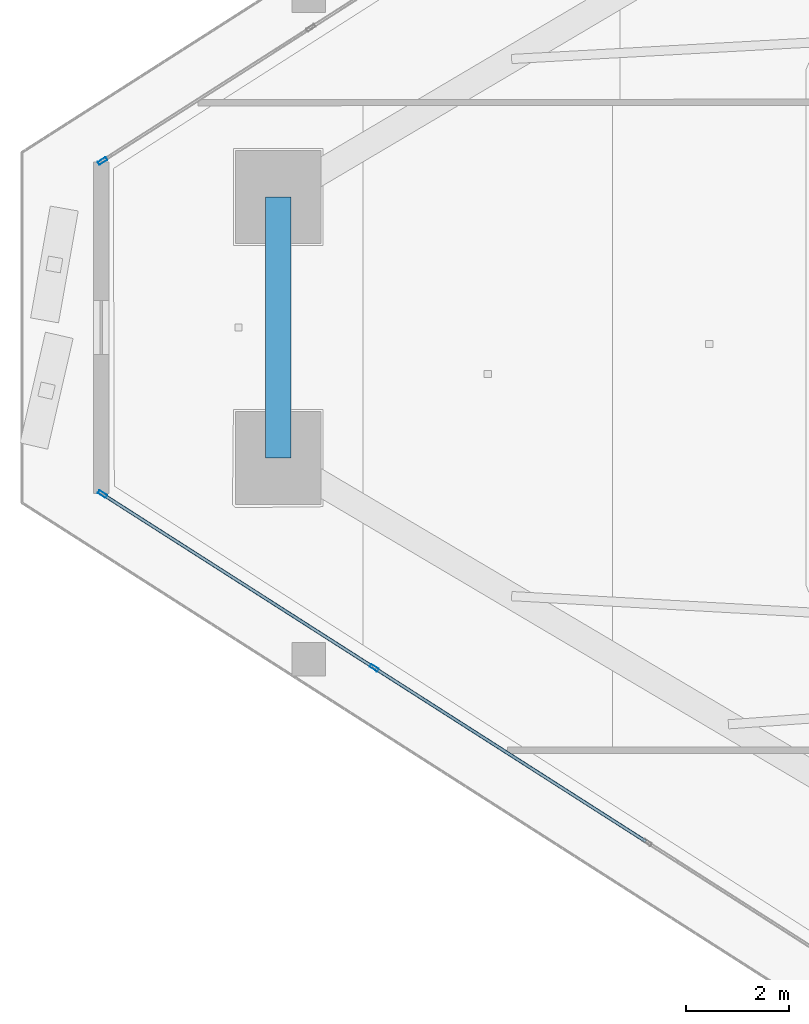
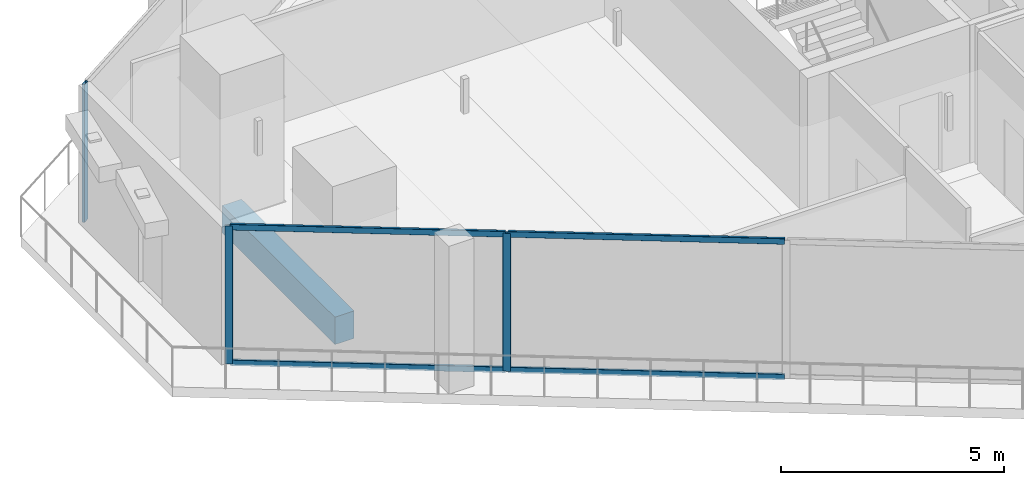
# One storey, part 6 of 36: 7 members, 1 beam, 2 elements without a shape of their own.
"""IFC4 building model written with IfcOpenShell, lengths in metres."""

from ifc_helpers import new_model, si_unit, direction, frame, origin, origin_2d, place, context, subcontext, project, spatial, rectangle, hollow_rectangle, extrude, material, layer, layer_set, material_profile, profile_set, type_object, element, aggregate, save


model = new_model("IFC4")

# Units and contexts
model_context = context("Model", 3, precision=1e-05, world=origin(), true_north=direction((0.0, 1.0)))
body_context = subcontext(model_context, "Body", "Model", "MODEL_VIEW")
ifc_project = project(units=[si_unit("LENGTHUNIT", "METRE"), si_unit("AREAUNIT", "SQUARE_METRE"), si_unit("VOLUMEUNIT", "CUBIC_METRE"), si_unit("PLANEANGLEUNIT", "RADIAN"), si_unit("MASSUNIT", "GRAM", prefix="KILO")], contexts=[model_context])

# Site, building, storey
site_placement = place(None, origin())
site = spatial("IfcSite", under=ifc_project, at=site_placement, CompositionType="ELEMENT")
building_placement = place(site_placement, origin())
building = spatial("IfcBuilding", under=site, at=building_placement, Name="Qorvath Tower", CompositionType="ELEMENT")
storey_placement = place(building_placement, frame((0.0, 0.0, 241.5)))
storey = spatial("IfcBuildingStorey", under=building, at=storey_placement, Name="L56", CompositionType="ELEMENT", Elevation=241.5)

# Beam
ifc_material_1 = material(Name="Concrete C45/55", Category="concrete")
ifc_material_profile_1 = material_profile(ifc_material_1, rectangle(XDim=0.5, YDim=0.75, at=origin_2d()), Name="RCB 750x500")
ifc_profile_set_1 = profile_set([ifc_material_profile_1], Name="Concrete C45/55")
beam_type = type_object("IfcBeamType", Name="BM-RCB3", PredefinedType="SPANDREL", material=ifc_profile_set_1)
beam_placement = place(storey_placement, frame((-49.171875, 2.52783203125, -0.64501953125), z_axis=(0.0, -1.0, 0.0), x_axis=(1.0, 0.0, 0.0)))
element("IfcBeam", 1, at=beam_placement, inside=storey, type_object=beam_type, Name="Perimeter Loggia Frame Beam MC1-MC2 L56", PredefinedType="SPANDREL", context=body_context, shape_type="SweptSolid", body=[
    extrude(rectangle(XDim=0.5, YDim=0.75, at=origin_2d()), origin(), (0.0, 0.0, 1.0), 5.0556640625),
])

# Curtain wall, members
ifc_material_2 = material(Name="Anodised aluminium and triple low-E glass", Category="aluminium")
ifc_layer = layer(ifc_material_2, 0.179931640625)
ifc_layer_set = layer_set([ifc_layer], Name="CW-SYS-3")
curtain_wall_type = type_object("IfcCurtainWallType", Name="CW-SYS-3", PredefinedType="NOTDEFINED", material=ifc_layer_set)
curtain_wall_1_placement = place(storey_placement, origin())
curtain_wall_1 = element("IfcCurtainWall", 2, at=curtain_wall_1_placement, inside=storey, type_object=curtain_wall_type, Name="Curtain Wall CW-3 CW-T-L56-2.1", PredefinedType="NOTDEFINED")
ifc_material_3 = material(Name="Anodised aluminium 6063-T6", Category="aluminium")
ifc_material_profile_2 = material_profile(ifc_material_3, hollow_rectangle(XDim=0.06494140625, YDim=0.179931640625, WallThickness=0.00341796875, InnerFilletRadius=0.00341796875, OuterFilletRadius=0.007080078125, at=origin_2d()), Name="CWM 180x65")
ifc_profile_set_2 = profile_set([ifc_material_profile_2], Name="Anodised aluminium 6063-T6")
member_type_1 = type_object("IfcMemberType", Name="CWM-180", PredefinedType="MULLION", material=ifc_profile_set_2)
member_1_placement = place(storey_placement, frame((-52.57373046875, -3.227783203125, 0.0), z_axis=(0.0, 0.0, 1.0), x_axis=(0.538531424585, 0.842605426481, 0.0)))
member_1 = element("IfcMember", 3, at=member_1_placement, type_object=member_type_1, Name="CW-3 mullion 1", PredefinedType="MULLION", context=body_context, shape_type="SweptSolid", body=[
    extrude(hollow_rectangle(XDim=0.06494140625, YDim=0.179931640625, WallThickness=0.00341796875, InnerFilletRadius=0.00341796875, OuterFilletRadius=0.007080078125, at=origin_2d()), origin(), (0.0, 0.0, 1.0), 3.780029296875),
])
member_2_placement = place(storey_placement, frame((-47.312255859375, -6.590576171875, 0.0), z_axis=(0.0, 0.0, 1.0), x_axis=(0.538531424585, 0.842605426481, 0.0)))
member_2 = element("IfcMember", 4, at=member_2_placement, type_object=member_type_1, Name="CW-3 mullion 2", PredefinedType="MULLION", context=body_context, shape_type="SweptSolid", body=[
    extrude(hollow_rectangle(XDim=0.06494140625, YDim=0.179931640625, WallThickness=0.00341796875, InnerFilletRadius=0.00341796875, OuterFilletRadius=0.007080078125, at=origin_2d()), origin(), (0.0, 0.0, 1.0), 3.780029296875),
])

# Curtain wall, member
curtain_wall_2_placement = place(storey_placement, origin())
curtain_wall_2 = element("IfcCurtainWall", 5, at=curtain_wall_2_placement, inside=storey, type_object=curtain_wall_type, Name="Curtain Wall CW-3 CW-T-L56-16.3", PredefinedType="NOTDEFINED")
member_3_placement = place(storey_placement, frame((-52.57373046875, 3.227783203125, 0.0), z_axis=(0.0, 0.0, 1.0), x_axis=(0.538526839039, -0.842608357207, 0.0)))
member_3 = element("IfcMember", 6, at=member_3_placement, type_object=member_type_1, Name="CW-3 mullion 5", PredefinedType="MULLION", context=body_context, shape_type="SweptSolid", body=[
    extrude(hollow_rectangle(XDim=0.06494140625, YDim=0.179931640625, WallThickness=0.00341796875, InnerFilletRadius=0.00341796875, OuterFilletRadius=0.007080078125, at=origin_2d()), origin(), (0.0, 0.0, 1.0), 3.780029296875),
])
aggregate(curtain_wall_2, [member_3])

# Member
ifc_material_4 = material(Name="Anodised aluminium 6063-T6", Category="aluminium")
ifc_material_profile_3 = material_profile(ifc_material_4, hollow_rectangle(XDim=0.06494140625, YDim=0.159912109375, WallThickness=0.00341796875, InnerFilletRadius=0.00341796875, OuterFilletRadius=0.007080078125, at=origin_2d()), Name="CWT 160x65")
ifc_profile_set_3 = profile_set([ifc_material_profile_3], Name="Anodised aluminium 6063-T6")
member_type_2 = type_object("IfcMemberType", Name="CWT-160", PredefinedType="USERDEFINED", material=ifc_profile_set_3)
member_4_placement = place(storey_placement, frame((-52.54638671875, -3.245361328125, 0.032470703125), z_axis=(0.842599152459, -0.538541241017, 0.0), x_axis=(0.538541241017, 0.842599152459, 0.0)))
member_4 = element("IfcMember", 7, at=member_4_placement, type_object=member_type_2, Name="CW-3 transom 1.1", ObjectType="TRANSOM", PredefinedType="USERDEFINED", context=body_context, shape_type="SweptSolid", body=[
    extrude(hollow_rectangle(XDim=0.06494140625, YDim=0.159912109375, WallThickness=0.00341796875, InnerFilletRadius=0.00341796875, OuterFilletRadius=0.007080078125, at=origin_2d()), origin(), (0.0, 0.0, 1.0), 6.179443359375),
])

member_5_placement = place(storey_placement, frame((-52.54638671875, -3.245361328125, 3.74755859375), z_axis=(0.842599152459, -0.538541241017, 0.0), x_axis=(0.538541241017, 0.842599152459, 0.0)))
member_5 = element("IfcMember", 8, at=member_5_placement, type_object=member_type_2, Name="CW-3 transom 1.2", ObjectType="TRANSOM", PredefinedType="USERDEFINED", context=body_context, shape_type="SweptSolid", body=[
    extrude(hollow_rectangle(XDim=0.06494140625, YDim=0.159912109375, WallThickness=0.00341796875, InnerFilletRadius=0.00341796875, OuterFilletRadius=0.007080078125, at=origin_2d()), origin(), (0.0, 0.0, 1.0), 6.179443359375),
])

member_6_placement = place(storey_placement, frame((-47.284912109375, -6.608154296875, 0.032470703125), z_axis=(0.842609567698, -0.538524945034, 0.0), x_axis=(0.538524945034, 0.842609567698, 0.0)))
member_6 = element("IfcMember", 9, at=member_6_placement, type_object=member_type_2, Name="CW-3 transom 2.1", ObjectType="TRANSOM", PredefinedType="USERDEFINED", context=body_context, shape_type="SweptSolid", body=[
    extrude(hollow_rectangle(XDim=0.06494140625, YDim=0.159912109375, WallThickness=0.00341796875, InnerFilletRadius=0.00341796875, OuterFilletRadius=0.007080078125, at=origin_2d()), origin(), (0.0, 0.0, 1.0), 6.2119140625),
])

member_7_placement = place(storey_placement, frame((-47.284912109375, -6.608154296875, 3.74755859375), z_axis=(0.842609567698, -0.538524945034, 0.0), x_axis=(0.538524945034, 0.842609567698, 0.0)))
member_7 = element("IfcMember", 10, at=member_7_placement, type_object=member_type_2, Name="CW-3 transom 2.2", ObjectType="TRANSOM", PredefinedType="USERDEFINED", context=body_context, shape_type="SweptSolid", body=[
    extrude(hollow_rectangle(XDim=0.06494140625, YDim=0.159912109375, WallThickness=0.00341796875, InnerFilletRadius=0.00341796875, OuterFilletRadius=0.007080078125, at=origin_2d()), origin(), (0.0, 0.0, 1.0), 6.2119140625),
])

aggregate(curtain_wall_1, [member_1, member_2, member_4, member_5, member_6, member_7])

save(model, "model.ifc")
